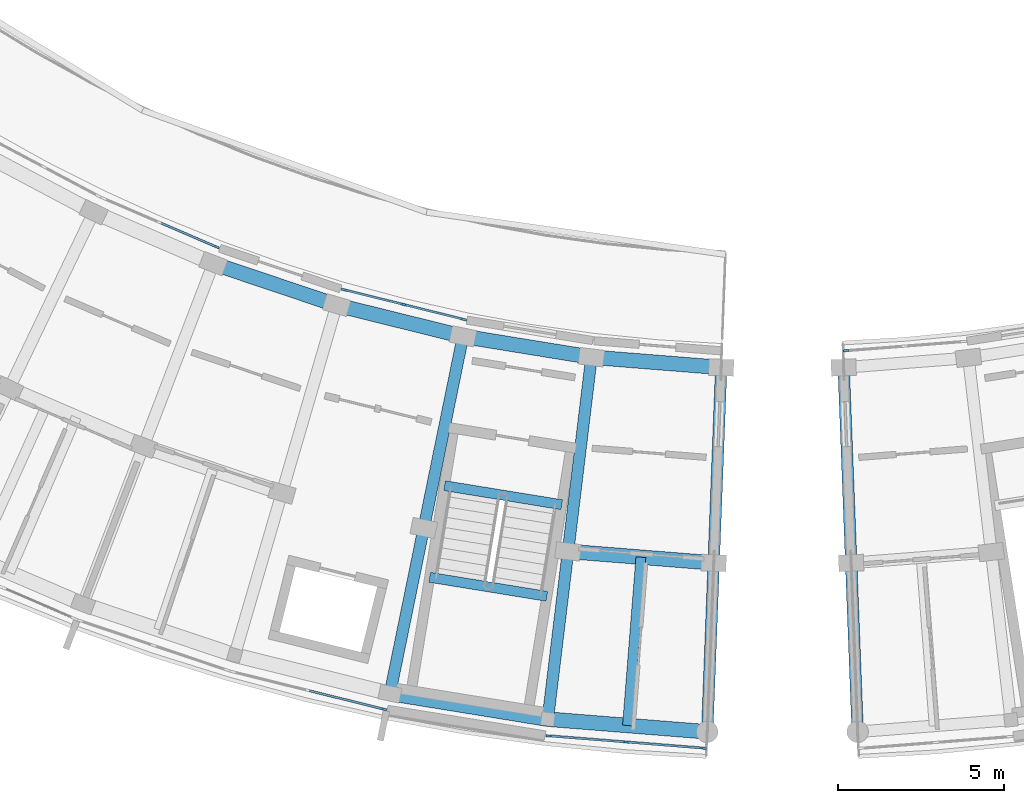
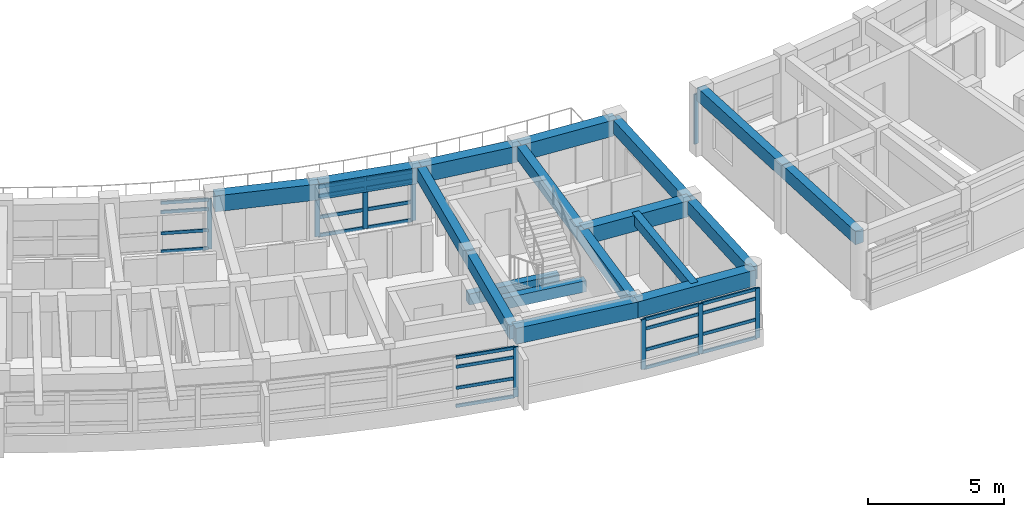
# One storey, part 12 of 54: 33 members, 18 beams, 5 elements without a shape of their own.
"""IFC4 building model written with IfcOpenShell, lengths in metres."""

from ifc_helpers import new_model, si_unit, direction, frame, origin, origin_2d, place, context, subcontext, project, spatial, rectangle, extrude, material, material_profile, profile_set, type_object, element, aggregate, save


model = new_model("IFC4")

# Units and contexts
model_context = context("Model", 3, precision=1e-05, world=origin(), true_north=direction((0.0, 1.0)))
body_context = subcontext(model_context, "Body", "Model", "MODEL_VIEW")
ifc_project = project(units=[si_unit("LENGTHUNIT", "METRE"), si_unit("AREAUNIT", "SQUARE_METRE"), si_unit("VOLUMEUNIT", "CUBIC_METRE"), si_unit("PLANEANGLEUNIT", "RADIAN"), si_unit("MASSUNIT", "GRAM", prefix="KILO")], contexts=[model_context])

# Site, building, storey
site_placement = place(None, origin())
site = spatial("IfcSite", under=ifc_project, at=site_placement, CompositionType="ELEMENT")
building_placement = place(site_placement, origin())
building = spatial("IfcBuilding", under=site, at=building_placement, Name="Zimvara Arc Housing Community", CompositionType="ELEMENT")
storey_placement = place(building_placement, frame((0.0, 0.0, 23.60009765625)))
storey = spatial("IfcBuildingStorey", under=building, at=storey_placement, Name="L07", CompositionType="ELEMENT", Elevation=23.60009765625)

# Beams
ifc_material_1 = material(Name="Concrete C40/50", Category="concrete")
ifc_material_profile_1 = material_profile(ifc_material_1, rectangle(XDim=0.300048828125, YDim=0.449951171875, at=origin_2d()), Name="RC 300x450")
ifc_profile_set_1 = profile_set([ifc_material_profile_1], Name="Concrete C40/50")
beam_type_1 = type_object("IfcBeamType", Name="BM-RC-300x450", PredefinedType="JOIST", material=ifc_profile_set_1)
beam_1_placement = place(storey_placement, frame((121.72509765625, 56.2734375, 2.635009765625), z_axis=(-0.079171686291, -0.99686099537, 0.0), x_axis=(0.99686099537, -0.079171686291, 0.0)))
element("IfcBeam", 1, at=beam_1_placement, inside=storey, type_object=beam_type_1, Name="bm:blkC:L07:joist:b9", PredefinedType="JOIST", context=body_context, shape_type="SweptSolid", body=[
    extrude(rectangle(XDim=0.300048828125, YDim=0.449951171875, at=origin_2d()), origin(), (0.0, 0.0, 1.0), 5.07568359375),
])
ifc_material_2 = material(Name="Concrete C40/50", Category="concrete")
ifc_material_profile_2 = material_profile(ifc_material_2, rectangle(XDim=0.300048828125, YDim=0.5, at=origin_2d()), Name="RC 300x500")
ifc_profile_set_2 = profile_set([ifc_material_profile_2], Name="Concrete C40/50")
beam_type_2 = type_object("IfcBeamType", Name="BM-RC-300x500", PredefinedType="BEAM", material=ifc_profile_set_2)
for number, where, z_axis, x_axis, name in (
    (2, (115.822265625, 58.423095703125, -0.25), (0.987080057935, -0.160227835371, 0.0), (0.160227835371, 0.987080057935, 0.0), "bm:stair_trim:ST-C2:L07:near"),
    (3, (115.375244140625, 55.6689453125, 1.2998046875), (0.987080057935, -0.160227835371, 0.0), (0.160227835371, 0.987080057935, 0.0), "bm:stair_trim:ST-C2:L07:mid"),
):
    element("IfcBeam", number, at=place(storey_placement, frame(where, z_axis=z_axis, x_axis=x_axis)), inside=storey, type_object=beam_type_2, Name=name, PredefinedType="BEAM", context=body_context, shape_type="SweptSolid", body=[
        extrude(rectangle(XDim=0.300048828125, YDim=0.5, at=origin_2d()), origin(), (0.0, 0.0, 1.0), 3.570068359375),
    ])
ifc_material_3 = material(Name="Concrete C40/50", Category="concrete")
ifc_material_profile_3 = material_profile(ifc_material_3, rectangle(XDim=0.35009765625, YDim=0.60009765625, at=origin_2d()), Name="RC 350x600")
ifc_profile_set_3 = profile_set([ifc_material_profile_3], Name="Concrete C40/50")
beam_type_3 = type_object("IfcBeamType", Name="BM-RC-350x600", PredefinedType="BEAM", material=ifc_profile_set_3)
beam_2_placement = place(storey_placement, frame((116.377197265625, 62.912109375, 2.559814453125), z_axis=(-0.200417973989, -0.979710485655, 0.0), x_axis=(0.979710485655, -0.200417973989, 0.0)))
element("IfcBeam", 4, at=beam_2_placement, inside=storey, type_object=beam_type_3, Name="bm:blkC:L07:rad:b8:r12", PredefinedType="BEAM", context=body_context, shape_type="SweptSolid", body=[
    extrude(rectangle(XDim=0.35009765625, YDim=0.60009765625, at=origin_2d()), origin(), (0.0, 0.0, 1.0), 5.880126953125),
])
beam_3_placement = place(storey_placement, frame((115.19873046875, 57.1513671875, 2.559814453125), z_axis=(-0.200356397601, -0.979723080233, 0.0), x_axis=(0.979723080233, -0.200356397601, 0.0)))
element("IfcBeam", 5, at=beam_3_placement, inside=storey, type_object=beam_type_3, Name="bm:blkC:L07:rad:b8:r23", PredefinedType="BEAM", context=body_context, shape_type="SweptSolid", body=[
    extrude(rectangle(XDim=0.35009765625, YDim=0.60009765625, at=origin_2d()), origin(), (0.0, 0.0, 1.0), 5.080078125),
])
beam_4_placement = place(storey_placement, frame((120.23974609375, 62.28515625, 2.559814453125), z_axis=(-0.119786997154, -0.992799614884, 0.0), x_axis=(0.992799614884, -0.119786997154, 0.0)))
element("IfcBeam", 6, at=beam_4_placement, inside=storey, type_object=beam_type_3, Name="bm:blkC:L07:rad:b9:r12", PredefinedType="BEAM", context=body_context, shape_type="SweptSolid", body=[
    extrude(rectangle(XDim=0.35009765625, YDim=0.60009765625, at=origin_2d()), origin(), (0.0, 0.0, 1.0), 5.8798828125),
])
beam_5_placement = place(storey_placement, frame((119.535400390625, 56.447509765625, 2.559814453125), z_axis=(-0.119810359757, -0.992796795772, 0.0), x_axis=(0.992796795772, -0.119810359757, 0.0)))
element("IfcBeam", 7, at=beam_5_placement, inside=storey, type_object=beam_type_3, Name="bm:blkC:L07:rad:b9:r23", PredefinedType="BEAM", context=body_context, shape_type="SweptSolid", body=[
    extrude(rectangle(XDim=0.35009765625, YDim=0.60009765625, at=origin_2d()), origin(), (0.0, 0.0, 1.0), 5.080078125),
])
beam_6_placement = place(storey_placement, frame((124.140380859375, 61.975341796875, 2.559814453125), z_axis=(-0.038364555613, -0.999263809448, 0.0), x_axis=(0.999263809448, -0.038364555613, 0.0)))
element("IfcBeam", 8, at=beam_6_placement, inside=storey, type_object=beam_type_3, Name="bm:blkC:L07:rad:b10:r12", PredefinedType="BEAM", context=body_context, shape_type="SweptSolid", body=[
    extrude(rectangle(XDim=0.35009765625, YDim=0.60009765625, at=origin_2d()), origin(), (0.0, 0.0, 1.0), 5.880126953125),
])
beam_7_placement = place(storey_placement, frame((123.914794921875, 56.099609375, 2.559814453125), z_axis=(-0.038399898954, -0.999262451892, 0.0), x_axis=(0.999262451892, -0.038399898954, 0.0)))
element("IfcBeam", 9, at=beam_7_placement, inside=storey, type_object=beam_type_3, Name="bm:blkC:L07:rad:b10:r23", PredefinedType="BEAM", context=body_context, shape_type="SweptSolid", body=[
    extrude(rectangle(XDim=0.35009765625, YDim=0.60009765625, at=origin_2d()), origin(), (0.0, 0.0, 1.0), 5.079833984375),
])
beam_8_placement = place(storey_placement, frame((127.819580078125, 61.975341796875, 2.619873046875), z_axis=(0.038364555613, -0.999263809448, 0.0), x_axis=(0.999263809448, 0.038364555613, 0.0)))
element("IfcBeam", 10, at=beam_8_placement, inside=storey, type_object=beam_type_3, Name="bm:blkD:L07:rad:b0:r12", PredefinedType="BEAM", context=body_context, shape_type="SweptSolid", body=[
    extrude(rectangle(XDim=0.35009765625, YDim=0.60009765625, at=origin_2d()), origin(), (0.0, 0.0, 1.0), 5.880126953125),
])
beam_9_placement = place(storey_placement, frame((128.045166015625, 56.099609375, 2.619873046875), z_axis=(0.038399898954, -0.999262451892, 0.0), x_axis=(0.999262451892, 0.038399898954, 0.0)))
element("IfcBeam", 11, at=beam_9_placement, inside=storey, type_object=beam_type_3, Name="bm:blkD:L07:rad:b0:r23", PredefinedType="BEAM", context=body_context, shape_type="SweptSolid", body=[
    extrude(rectangle(XDim=0.35009765625, YDim=0.60009765625, at=origin_2d()), origin(), (0.0, 0.0, 1.0), 5.079833984375),
])
ifc_material_4 = material(Name="Concrete C40/50", Category="concrete")
ifc_material_profile_4 = material_profile(ifc_material_4, rectangle(XDim=0.43994140625, YDim=0.719970703125, at=origin_2d()), Name="RC 440x720")
ifc_profile_set_4 = profile_set([ifc_material_profile_4], Name="Concrete C40/50")
beam_type_4 = type_object("IfcBeamType", Name="BM-RC-440x720", PredefinedType="BEAM", material=ifc_profile_set_4)
for number, where, z_axis, x_axis, name in (
    (12, (108.869384765625, 65.098876953125, 2.5), (0.947881689069, -0.31862250945, 0.0), (0.31862250945, 0.947881689069, 0.0), "bm:blkC:L07:chord:r1:b6"),
    (13, (112.57861328125, 63.85205078125, 2.5), (0.970723220586, -0.240200809773, 0.0), (0.240200809773, 0.970723220586, 0.0), "bm:blkC:L07:chord:r1:b7"),
    (14, (116.377197265625, 62.912109375, 2.5), (0.987081487371, -0.160219029111, 0.0), (0.160219029111, 0.987081487371, 0.0), "bm:blkC:L07:chord:r1:b8"),
):
    element("IfcBeam", number, at=place(storey_placement, frame(where, z_axis=z_axis, x_axis=x_axis)), inside=storey, type_object=beam_type_4, Name=name, PredefinedType="BEAM", context=body_context, shape_type="SweptSolid", body=[
        extrude(rectangle(XDim=0.43994140625, YDim=0.719970703125, at=origin_2d()), origin(), (0.0, 0.0, 1.0), 3.9130859375),
    ])
beam_10_placement = place(storey_placement, frame((120.23974609375, 62.28515625, 2.5), z_axis=(0.99686054795, -0.079177319606, 0.0), x_axis=(0.079177319606, 0.99686054795, 0.0)))
element("IfcBeam", 15, at=beam_10_placement, inside=storey, type_object=beam_type_4, Name="bm:blkC:L07:chord:r1:b9", PredefinedType="BEAM", context=body_context, shape_type="SweptSolid", body=[
    extrude(rectangle(XDim=0.43994140625, YDim=0.719970703125, at=origin_2d()), origin(), (0.0, 0.0, 1.0), 3.912841796875),
])
beam_11_placement = place(storey_placement, frame((119.535400390625, 56.447509765625, 2.5), z_axis=(0.996859476344, -0.079190810224, 0.0), x_axis=(0.079190810224, 0.996859476344, 0.0)))
element("IfcBeam", 16, at=beam_11_placement, inside=storey, type_object=beam_type_4, Name="bm:blkC:L07:chord:r2:b9", PredefinedType="BEAM", context=body_context, shape_type="SweptSolid", body=[
    extrude(rectangle(XDim=0.43994140625, YDim=0.719970703125, at=origin_2d()), origin(), (0.0, 0.0, 1.0), 4.393310546875),
])
beam_12_placement = place(storey_placement, frame((114.180908203125, 52.17431640625, 2.5), z_axis=(0.987083566885, -0.160206217065, 0.0), x_axis=(0.160206217065, 0.987083566885, 0.0)))
element("IfcBeam", 17, at=beam_12_placement, inside=storey, type_object=beam_type_4, Name="bm:blkC:L07:chord:r3:b8", PredefinedType="BEAM", context=body_context, shape_type="SweptSolid", body=[
    extrude(rectangle(XDim=0.43994140625, YDim=0.719970703125, at=origin_2d()), origin(), (0.0, 0.0, 1.0), 4.807861328125),
])
beam_13_placement = place(storey_placement, frame((118.9267578125, 51.404052734375, 2.5), z_axis=(0.996861768207, -0.0791619548, 0.0), x_axis=(0.0791619548, 0.996861768207, 0.0)))
element("IfcBeam", 18, at=beam_13_placement, inside=storey, type_object=beam_type_4, Name="bm:blkC:L07:chord:r3:b9", PredefinedType="BEAM", context=body_context, shape_type="SweptSolid", body=[
    extrude(rectangle(XDim=0.43994140625, YDim=0.719970703125, at=origin_2d()), origin(), (0.0, 0.0, 1.0), 4.80810546875),
])

# Curtain wall, member
ifc_material_5 = material(Name="Anodised Aluminium AW-6063", Category="aluminium")
curtain_wall_type_1 = type_object("IfcCurtainWallType", Name="CW-SYS-02", PredefinedType="USERDEFINED", material=ifc_material_5)
curtain_wall_1_placement = place(storey_placement, origin())
curtain_wall_1 = element("IfcCurtainWall", 19, at=curtain_wall_1_placement, inside=storey, type_object=curtain_wall_type_1, Name="cw:blkC:L07:in:b5", ObjectType="CURTAIN WALL", PredefinedType="USERDEFINED")
ifc_material_6 = material(Name="Anodised Aluminium AW-6063", Category="aluminium")
ifc_material_profile_5 = material_profile(ifc_material_6, rectangle(XDim=0.06494140625, YDim=0.179931640625, at=origin_2d()), Name="ALU 65x180")
ifc_profile_set_5 = profile_set([ifc_material_profile_5], Name="Anodised Aluminium AW-6063")
member_type_1 = type_object("IfcMemberType", Name="CWM-65x150", PredefinedType="MULLION", material=ifc_profile_set_5)
member_1_placement = place(storey_placement, frame((108.963134765625, 65.6025390625, 0.0), z_axis=(0.0, 0.0, 1.0), x_axis=(0.394903951674, 0.918722411261, 0.0)))
member_1 = element("IfcMember", 20, at=member_1_placement, type_object=member_type_1, Name="CW02 mullion 3", PredefinedType="MULLION", context=body_context, shape_type="SweptSolid", body=[
    extrude(rectangle(XDim=0.06494140625, YDim=0.179931640625, at=origin_2d()), origin(), (0.0, 0.0, 1.0), 2.25),
])

ifc_material_7 = material(Name="Anodised Aluminium AW-6063", Category="aluminium")
curtain_wall_type_2 = type_object("IfcCurtainWallType", Name="CW-SYS-04", PredefinedType="USERDEFINED", material=ifc_material_7)
curtain_wall_2_placement = place(storey_placement, origin())
curtain_wall_2 = element("IfcCurtainWall", 21, at=curtain_wall_2_placement, inside=storey, type_object=curtain_wall_type_2, Name="cw:blkC:L07:out:b7", ObjectType="CURTAIN WALL", PredefinedType="USERDEFINED")
member_2_placement = place(storey_placement, frame((113.99072265625, 51.706787109375, 0.0), z_axis=(0.0, 0.0, 1.0), x_axis=(0.240229711131, 0.970716068627, 0.0)))
member_2 = element("IfcMember", 22, at=member_2_placement, type_object=member_type_1, Name="CW04 mullion 3", PredefinedType="MULLION", context=body_context, shape_type="SweptSolid", body=[
    extrude(rectangle(XDim=0.06494140625, YDim=0.179931640625, at=origin_2d()), origin(), (0.0, 0.0, 1.0), 2.25),
])

# Curtain wall, members
ifc_material_8 = material(Name="Anodised Aluminium AW-6063", Category="aluminium")
curtain_wall_type_3 = type_object("IfcCurtainWallType", Name="CW-SYS-06", PredefinedType="USERDEFINED", material=ifc_material_8)
curtain_wall_3_placement = place(storey_placement, origin())
curtain_wall_3 = element("IfcCurtainWall", 23, at=curtain_wall_3_placement, inside=storey, type_object=curtain_wall_type_3, Name="cw:blkC:L07:out:b9", ObjectType="CURTAIN WALL", PredefinedType="USERDEFINED")
member_3_placement = place(storey_placement, frame((118.958984375, 50.900146484375, 0.0), z_axis=(0.0, 0.0, 1.0), x_axis=(0.079153759607, 0.996862418963, 0.0)))
member_3 = element("IfcMember", 24, at=member_3_placement, type_object=member_type_1, Name="CW06 mullion 1", PredefinedType="MULLION", context=body_context, shape_type="SweptSolid", body=[
    extrude(rectangle(XDim=0.06494140625, YDim=0.179931640625, at=origin_2d()), origin(), (0.0, 0.0, 1.0), 2.25),
])
member_4_placement = place(storey_placement, frame((121.28369140625, 50.715576171875, 0.0), z_axis=(0.0, 0.0, 1.0), x_axis=(0.079153759607, 0.996862418963, 0.0)))
member_4 = element("IfcMember", 25, at=member_4_placement, type_object=member_type_1, Name="CW06 mullion 2", PredefinedType="MULLION", context=body_context, shape_type="SweptSolid", body=[
    extrude(rectangle(XDim=0.06494140625, YDim=0.179931640625, at=origin_2d()), origin(), (0.0, 0.0, 1.0), 2.25),
])
member_5_placement = place(storey_placement, frame((123.6083984375, 50.531005859375, 0.0), z_axis=(0.0, 0.0, 1.0), x_axis=(0.079153759607, 0.996862418963, 0.0)))
member_5 = element("IfcMember", 26, at=member_5_placement, type_object=member_type_1, Name="CW06 mullion 3", PredefinedType="MULLION", context=body_context, shape_type="SweptSolid", body=[
    extrude(rectangle(XDim=0.06494140625, YDim=0.179931640625, at=origin_2d()), origin(), (0.0, 0.0, 1.0), 2.25),
])

# Curtain wall, member
ifc_material_9 = material(Name="Anodised Aluminium AW-6063", Category="aluminium")
curtain_wall_type_4 = type_object("IfcCurtainWallType", Name="CW-SYS-08", PredefinedType="USERDEFINED", material=ifc_material_9)
curtain_wall_4_placement = place(storey_placement, origin())
curtain_wall_4 = element("IfcCurtainWall", 27, at=curtain_wall_4_placement, inside=storey, type_object=curtain_wall_type_4, Name="cw:blkD:L07:in:b0", ObjectType="CURTAIN WALL", PredefinedType="USERDEFINED")
member_6_placement = place(storey_placement, frame((127.892578125, 62.482177734375, 0.0), z_axis=(0.0, 0.0, 1.0), x_axis=(-0.077587782714, 0.996985524455, 0.0)))
member_6 = element("IfcMember", 28, at=member_6_placement, type_object=member_type_1, Name="CW08 mullion 1", PredefinedType="MULLION", context=body_context, shape_type="SweptSolid", body=[
    extrude(rectangle(XDim=0.06494140625, YDim=0.179931640625, at=origin_2d()), origin(), (0.0, 0.0, 1.0), 2.25),
])
aggregate(curtain_wall_4, [member_6])

# Curtain wall, members
ifc_material_10 = material(Name="Anodised Aluminium AW-6063", Category="aluminium")
curtain_wall_type_5 = type_object("IfcCurtainWallType", Name="CW-SYS-05", PredefinedType="USERDEFINED", material=ifc_material_10)
curtain_wall_5_placement = place(storey_placement, origin())
curtain_wall_5 = element("IfcCurtainWall", 29, at=curtain_wall_5_placement, inside=storey, type_object=curtain_wall_type_5, Name="cw:blkC:L07:in:b7", ObjectType="CURTAIN WALL", PredefinedType="USERDEFINED")
ifc_material_11 = material(Name="Anodised Aluminium AW-6063", Category="aluminium")
ifc_material_profile_6 = material_profile(ifc_material_11, rectangle(XDim=0.06494140625, YDim=0.195068359375, at=origin_2d()), Name="ALU 65x195")
ifc_profile_set_6 = profile_set([ifc_material_profile_6], Name="Anodised Aluminium AW-6063")
member_type_2 = type_object("IfcMemberType", Name="CWM-65x180", PredefinedType="MULLION", material=ifc_profile_set_6)
member_7_placement = place(storey_placement, frame((112.808349609375, 64.309814453125, 0.0), z_axis=(0.0, 0.0, 1.0), x_axis=(0.240229186313, 0.970716198507, 0.0)))
member_7 = element("IfcMember", 30, at=member_7_placement, type_object=member_type_2, Name="CW05 mullion 1", PredefinedType="MULLION", context=body_context, shape_type="SweptSolid", body=[
    extrude(rectangle(XDim=0.06494140625, YDim=0.195068359375, at=origin_2d()), origin(), (0.0, 0.0, 1.0), 2.25),
])
member_8_placement = place(storey_placement, frame((114.597900390625, 63.866943359375, 0.0), z_axis=(0.0, 0.0, 1.0), x_axis=(0.240229186313, 0.970716198507, 0.0)))
member_8 = element("IfcMember", 31, at=member_8_placement, type_object=member_type_2, Name="CW05 mullion 2", PredefinedType="MULLION", context=body_context, shape_type="SweptSolid", body=[
    extrude(rectangle(XDim=0.06494140625, YDim=0.195068359375, at=origin_2d()), origin(), (0.0, 0.0, 1.0), 2.25),
])
member_9_placement = place(storey_placement, frame((116.387451171875, 63.424072265625, 0.0), z_axis=(0.0, 0.0, 1.0), x_axis=(0.240229186313, 0.970716198507, 0.0)))
member_9 = element("IfcMember", 32, at=member_9_placement, type_object=member_type_2, Name="CW05 mullion 3", PredefinedType="MULLION", context=body_context, shape_type="SweptSolid", body=[
    extrude(rectangle(XDim=0.06494140625, YDim=0.195068359375, at=origin_2d()), origin(), (0.0, 0.0, 1.0), 2.25),
])

# Member
ifc_material_12 = material(Name="Anodised Aluminium AW-6063", Category="aluminium")
ifc_material_profile_7 = material_profile(ifc_material_12, rectangle(XDim=0.06494140625, YDim=0.139892578125, at=origin_2d()), Name="ALU 65x140")
ifc_profile_set_7 = profile_set([ifc_material_profile_7], Name="Anodised Aluminium AW-6063")
member_type_3 = type_object("IfcMemberType", Name="CWT-65x120", PredefinedType="USERDEFINED", material=ifc_profile_set_7)
member_10_placement = place(storey_placement, frame((107.299072265625, 66.317626953125, 0.032470703125), z_axis=(0.918718495938, -0.394913060334, 0.0), x_axis=(0.394913060334, 0.918718495938, 0.0)))
member_10 = element("IfcMember", 33, at=member_10_placement, type_object=member_type_3, Name="CW02 transom 2.1", ObjectType="TRANSOM", PredefinedType="USERDEFINED", context=body_context, shape_type="SweptSolid", body=[
    extrude(rectangle(XDim=0.06494140625, YDim=0.139892578125, at=origin_2d()), origin(), (0.0, 0.0, 1.0), 1.778564453125),
])

member_11_placement = place(storey_placement, frame((107.299072265625, 66.317626953125, 0.849853515625), z_axis=(0.918718495938, -0.394913060334, 0.0), x_axis=(0.394913060334, 0.918718495938, 0.0)))
member_11 = element("IfcMember", 34, at=member_11_placement, type_object=member_type_3, Name="CW02 transom 2.2", ObjectType="TRANSOM", PredefinedType="USERDEFINED", context=body_context, shape_type="SweptSolid", body=[
    extrude(rectangle(XDim=0.06494140625, YDim=0.139892578125, at=origin_2d()), origin(), (0.0, 0.0, 1.0), 1.778564453125),
])

member_12_placement = place(storey_placement, frame((107.299072265625, 66.317626953125, 1.7998046875), z_axis=(0.918718495938, -0.394913060334, 0.0), x_axis=(0.394913060334, 0.918718495938, 0.0)))
member_12 = element("IfcMember", 35, at=member_12_placement, type_object=member_type_3, Name="CW02 transom 2.3", ObjectType="TRANSOM", PredefinedType="USERDEFINED", context=body_context, shape_type="SweptSolid", body=[
    extrude(rectangle(XDim=0.06494140625, YDim=0.139892578125, at=origin_2d()), origin(), (0.0, 0.0, 1.0), 1.778564453125),
])

member_13_placement = place(storey_placement, frame((107.299072265625, 66.317626953125, 2.21728515625), z_axis=(0.918718495938, -0.394913060334, 0.0), x_axis=(0.394913060334, 0.918718495938, 0.0)))
member_13 = element("IfcMember", 36, at=member_13_placement, type_object=member_type_3, Name="CW02 transom 2.4", ObjectType="TRANSOM", PredefinedType="USERDEFINED", context=body_context, shape_type="SweptSolid", body=[
    extrude(rectangle(XDim=0.06494140625, YDim=0.139892578125, at=origin_2d()), origin(), (0.0, 0.0, 1.0), 1.778564453125),
])

aggregate(curtain_wall_1, [member_1, member_10, member_11, member_12, member_13])

member_14_placement = place(storey_placement, frame((111.7587890625, 52.259033203125, 0.032470703125), z_axis=(0.970728837212, -0.240178110172, 0.0), x_axis=(0.240178110172, 0.970728837212, 0.0)))
member_14 = element("IfcMember", 37, at=member_14_placement, type_object=member_type_3, Name="CW04 transom 2.1", ObjectType="TRANSOM", PredefinedType="USERDEFINED", context=body_context, shape_type="SweptSolid", body=[
    extrude(rectangle(XDim=0.06494140625, YDim=0.139892578125, at=origin_2d()), origin(), (0.0, 0.0, 1.0), 2.266845703125),
])

member_15_placement = place(storey_placement, frame((111.7587890625, 52.259033203125, 0.849853515625), z_axis=(0.970728837212, -0.240178110172, 0.0), x_axis=(0.240178110172, 0.970728837212, 0.0)))
member_15 = element("IfcMember", 38, at=member_15_placement, type_object=member_type_3, Name="CW04 transom 2.2", ObjectType="TRANSOM", PredefinedType="USERDEFINED", context=body_context, shape_type="SweptSolid", body=[
    extrude(rectangle(XDim=0.06494140625, YDim=0.139892578125, at=origin_2d()), origin(), (0.0, 0.0, 1.0), 2.266845703125),
])

member_16_placement = place(storey_placement, frame((111.7587890625, 52.259033203125, 1.7998046875), z_axis=(0.970728837212, -0.240178110172, 0.0), x_axis=(0.240178110172, 0.970728837212, 0.0)))
member_16 = element("IfcMember", 39, at=member_16_placement, type_object=member_type_3, Name="CW04 transom 2.3", ObjectType="TRANSOM", PredefinedType="USERDEFINED", context=body_context, shape_type="SweptSolid", body=[
    extrude(rectangle(XDim=0.06494140625, YDim=0.139892578125, at=origin_2d()), origin(), (0.0, 0.0, 1.0), 2.266845703125),
])

member_17_placement = place(storey_placement, frame((111.7587890625, 52.259033203125, 2.21728515625), z_axis=(0.970728837212, -0.240178110172, 0.0), x_axis=(0.240178110172, 0.970728837212, 0.0)))
member_17 = element("IfcMember", 40, at=member_17_placement, type_object=member_type_3, Name="CW04 transom 2.4", ObjectType="TRANSOM", PredefinedType="USERDEFINED", context=body_context, shape_type="SweptSolid", body=[
    extrude(rectangle(XDim=0.06494140625, YDim=0.139892578125, at=origin_2d()), origin(), (0.0, 0.0, 1.0), 2.266845703125),
])

aggregate(curtain_wall_2, [member_2, member_14, member_15, member_16, member_17])

member_18_placement = place(storey_placement, frame((118.991455078125, 50.897705078125, 0.032470703125), z_axis=(0.996862021022, -0.079158771116, 0.0), x_axis=(0.079158771116, 0.996862021022, 0.0)))
member_18 = element("IfcMember", 41, at=member_18_placement, type_object=member_type_3, Name="CW06 transom 1.1", ObjectType="TRANSOM", PredefinedType="USERDEFINED", context=body_context, shape_type="SweptSolid", body=[
    extrude(rectangle(XDim=0.06494140625, YDim=0.139892578125, at=origin_2d()), origin(), (0.0, 0.0, 1.0), 2.266845703125),
])

member_19_placement = place(storey_placement, frame((118.991455078125, 50.897705078125, 0.849853515625), z_axis=(0.996862021022, -0.079158771116, 0.0), x_axis=(0.079158771116, 0.996862021022, 0.0)))
member_19 = element("IfcMember", 42, at=member_19_placement, type_object=member_type_3, Name="CW06 transom 1.2", ObjectType="TRANSOM", PredefinedType="USERDEFINED", context=body_context, shape_type="SweptSolid", body=[
    extrude(rectangle(XDim=0.06494140625, YDim=0.139892578125, at=origin_2d()), origin(), (0.0, 0.0, 1.0), 2.266845703125),
])

member_20_placement = place(storey_placement, frame((118.991455078125, 50.897705078125, 1.7998046875), z_axis=(0.996862021022, -0.079158771116, 0.0), x_axis=(0.079158771116, 0.996862021022, 0.0)))
member_20 = element("IfcMember", 43, at=member_20_placement, type_object=member_type_3, Name="CW06 transom 1.3", ObjectType="TRANSOM", PredefinedType="USERDEFINED", context=body_context, shape_type="SweptSolid", body=[
    extrude(rectangle(XDim=0.06494140625, YDim=0.139892578125, at=origin_2d()), origin(), (0.0, 0.0, 1.0), 2.266845703125),
])

member_21_placement = place(storey_placement, frame((118.991455078125, 50.897705078125, 2.21728515625), z_axis=(0.996862021022, -0.079158771116, 0.0), x_axis=(0.079158771116, 0.996862021022, 0.0)))
member_21 = element("IfcMember", 44, at=member_21_placement, type_object=member_type_3, Name="CW06 transom 1.4", ObjectType="TRANSOM", PredefinedType="USERDEFINED", context=body_context, shape_type="SweptSolid", body=[
    extrude(rectangle(XDim=0.06494140625, YDim=0.139892578125, at=origin_2d()), origin(), (0.0, 0.0, 1.0), 2.266845703125),
])

member_22_placement = place(storey_placement, frame((121.316162109375, 50.713134765625, 0.032470703125), z_axis=(0.996862021022, -0.079158771116, 0.0), x_axis=(0.079158771116, 0.996862021022, 0.0)))
member_22 = element("IfcMember", 45, at=member_22_placement, type_object=member_type_3, Name="CW06 transom 2.1", ObjectType="TRANSOM", PredefinedType="USERDEFINED", context=body_context, shape_type="SweptSolid", body=[
    extrude(rectangle(XDim=0.06494140625, YDim=0.139892578125, at=origin_2d()), origin(), (0.0, 0.0, 1.0), 2.266845703125),
])

member_23_placement = place(storey_placement, frame((121.316162109375, 50.713134765625, 0.849853515625), z_axis=(0.996862021022, -0.079158771116, 0.0), x_axis=(0.079158771116, 0.996862021022, 0.0)))
member_23 = element("IfcMember", 46, at=member_23_placement, type_object=member_type_3, Name="CW06 transom 2.2", ObjectType="TRANSOM", PredefinedType="USERDEFINED", context=body_context, shape_type="SweptSolid", body=[
    extrude(rectangle(XDim=0.06494140625, YDim=0.139892578125, at=origin_2d()), origin(), (0.0, 0.0, 1.0), 2.266845703125),
])

member_24_placement = place(storey_placement, frame((121.316162109375, 50.713134765625, 1.7998046875), z_axis=(0.996862021022, -0.079158771116, 0.0), x_axis=(0.079158771116, 0.996862021022, 0.0)))
member_24 = element("IfcMember", 47, at=member_24_placement, type_object=member_type_3, Name="CW06 transom 2.3", ObjectType="TRANSOM", PredefinedType="USERDEFINED", context=body_context, shape_type="SweptSolid", body=[
    extrude(rectangle(XDim=0.06494140625, YDim=0.139892578125, at=origin_2d()), origin(), (0.0, 0.0, 1.0), 2.266845703125),
])

member_25_placement = place(storey_placement, frame((121.316162109375, 50.713134765625, 2.21728515625), z_axis=(0.996862021022, -0.079158771116, 0.0), x_axis=(0.079158771116, 0.996862021022, 0.0)))
member_25 = element("IfcMember", 48, at=member_25_placement, type_object=member_type_3, Name="CW06 transom 2.4", ObjectType="TRANSOM", PredefinedType="USERDEFINED", context=body_context, shape_type="SweptSolid", body=[
    extrude(rectangle(XDim=0.06494140625, YDim=0.139892578125, at=origin_2d()), origin(), (0.0, 0.0, 1.0), 2.266845703125),
])

aggregate(curtain_wall_3, [member_3, member_4, member_5, member_18, member_19, member_20, member_21, member_22, member_23, member_24, member_25])

ifc_material_13 = material(Name="Anodised Aluminium AW-6063", Category="aluminium")
ifc_material_profile_8 = material_profile(ifc_material_13, rectangle(XDim=0.06494140625, YDim=0.155029296875, at=origin_2d()), Name="ALU 65x155")
ifc_profile_set_8 = profile_set([ifc_material_profile_8], Name="Anodised Aluminium AW-6063")
member_type_4 = type_object("IfcMemberType", Name="CWT-65x140", PredefinedType="USERDEFINED", material=ifc_profile_set_8)
member_26_placement = place(storey_placement, frame((112.83984375, 64.302001953125, 0.032470703125), z_axis=(0.970721060666, -0.240209538485, 0.0), x_axis=(0.240209538485, 0.970721060666, 0.0)))
member_26 = element("IfcMember", 49, at=member_26_placement, type_object=member_type_4, Name="CW05 transom 1.1", ObjectType="TRANSOM", PredefinedType="USERDEFINED", context=body_context, shape_type="SweptSolid", body=[
    extrude(rectangle(XDim=0.06494140625, YDim=0.155029296875, at=origin_2d()), origin(), (0.0, 0.0, 1.0), 1.778564453125),
])

member_27_placement = place(storey_placement, frame((112.83984375, 64.302001953125, 0.849853515625), z_axis=(0.970721060666, -0.240209538485, 0.0), x_axis=(0.240209538485, 0.970721060666, 0.0)))
member_27 = element("IfcMember", 50, at=member_27_placement, type_object=member_type_4, Name="CW05 transom 1.2", ObjectType="TRANSOM", PredefinedType="USERDEFINED", context=body_context, shape_type="SweptSolid", body=[
    extrude(rectangle(XDim=0.06494140625, YDim=0.155029296875, at=origin_2d()), origin(), (0.0, 0.0, 1.0), 1.778564453125),
])

member_28_placement = place(storey_placement, frame((112.83984375, 64.302001953125, 1.7998046875), z_axis=(0.970721060666, -0.240209538485, 0.0), x_axis=(0.240209538485, 0.970721060666, 0.0)))
member_28 = element("IfcMember", 51, at=member_28_placement, type_object=member_type_4, Name="CW05 transom 1.3", ObjectType="TRANSOM", PredefinedType="USERDEFINED", context=body_context, shape_type="SweptSolid", body=[
    extrude(rectangle(XDim=0.06494140625, YDim=0.155029296875, at=origin_2d()), origin(), (0.0, 0.0, 1.0), 1.778564453125),
])

member_29_placement = place(storey_placement, frame((112.83984375, 64.302001953125, 2.21728515625), z_axis=(0.970721060666, -0.240209538485, 0.0), x_axis=(0.240209538485, 0.970721060666, 0.0)))
member_29 = element("IfcMember", 52, at=member_29_placement, type_object=member_type_4, Name="CW05 transom 1.4", ObjectType="TRANSOM", PredefinedType="USERDEFINED", context=body_context, shape_type="SweptSolid", body=[
    extrude(rectangle(XDim=0.06494140625, YDim=0.155029296875, at=origin_2d()), origin(), (0.0, 0.0, 1.0), 1.778564453125),
])

member_30_placement = place(storey_placement, frame((114.62939453125, 63.859130859375, 0.032470703125), z_axis=(0.970721060666, -0.240209538485, 0.0), x_axis=(0.240209538485, 0.970721060666, 0.0)))
member_30 = element("IfcMember", 53, at=member_30_placement, type_object=member_type_4, Name="CW05 transom 2.1", ObjectType="TRANSOM", PredefinedType="USERDEFINED", context=body_context, shape_type="SweptSolid", body=[
    extrude(rectangle(XDim=0.06494140625, YDim=0.155029296875, at=origin_2d()), origin(), (0.0, 0.0, 1.0), 1.778564453125),
])

member_31_placement = place(storey_placement, frame((114.62939453125, 63.859130859375, 0.849853515625), z_axis=(0.970721060666, -0.240209538485, 0.0), x_axis=(0.240209538485, 0.970721060666, 0.0)))
member_31 = element("IfcMember", 54, at=member_31_placement, type_object=member_type_4, Name="CW05 transom 2.2", ObjectType="TRANSOM", PredefinedType="USERDEFINED", context=body_context, shape_type="SweptSolid", body=[
    extrude(rectangle(XDim=0.06494140625, YDim=0.155029296875, at=origin_2d()), origin(), (0.0, 0.0, 1.0), 1.778564453125),
])

member_32_placement = place(storey_placement, frame((114.62939453125, 63.859130859375, 1.7998046875), z_axis=(0.970721060666, -0.240209538485, 0.0), x_axis=(0.240209538485, 0.970721060666, 0.0)))
member_32 = element("IfcMember", 55, at=member_32_placement, type_object=member_type_4, Name="CW05 transom 2.3", ObjectType="TRANSOM", PredefinedType="USERDEFINED", context=body_context, shape_type="SweptSolid", body=[
    extrude(rectangle(XDim=0.06494140625, YDim=0.155029296875, at=origin_2d()), origin(), (0.0, 0.0, 1.0), 1.778564453125),
])

member_33_placement = place(storey_placement, frame((114.62939453125, 63.859130859375, 2.21728515625), z_axis=(0.970721060666, -0.240209538485, 0.0), x_axis=(0.240209538485, 0.970721060666, 0.0)))
member_33 = element("IfcMember", 56, at=member_33_placement, type_object=member_type_4, Name="CW05 transom 2.4", ObjectType="TRANSOM", PredefinedType="USERDEFINED", context=body_context, shape_type="SweptSolid", body=[
    extrude(rectangle(XDim=0.06494140625, YDim=0.155029296875, at=origin_2d()), origin(), (0.0, 0.0, 1.0), 1.778564453125),
])

aggregate(curtain_wall_5, [member_7, member_8, member_9, member_26, member_27, member_28, member_29, member_30, member_31, member_32, member_33])

save(model, "model.ifc")
